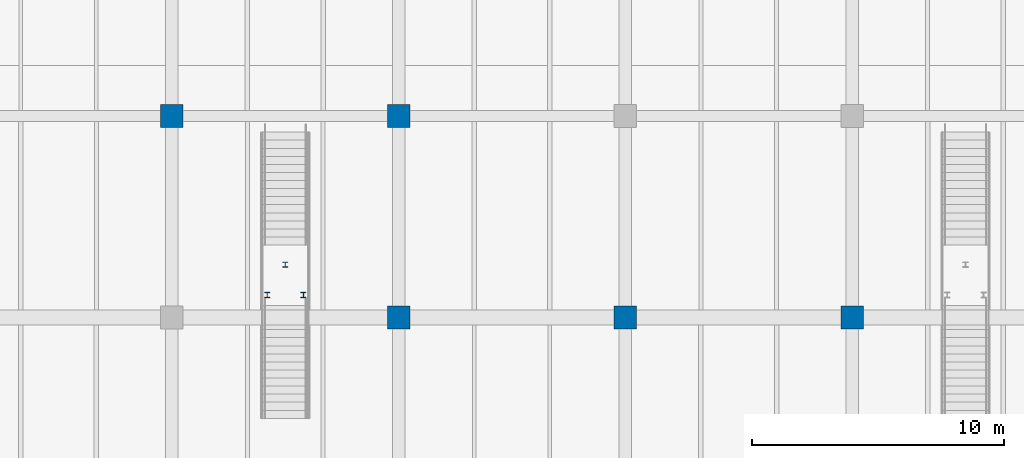
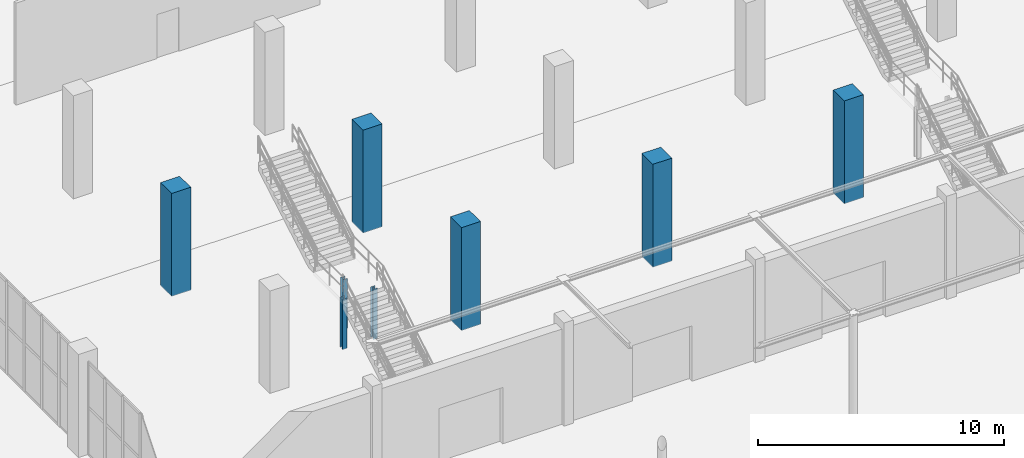
# One storey, part 9 of 103: 8 columns.
"""IFC4 building model written with IfcOpenShell, lengths in metres."""

from ifc_helpers import new_model, si_unit, direction, frame, origin, origin_2d, place, context, subcontext, project, spatial, rectangle, i_section, extrude, material, material_profile, profile_set, type_object, element, save


model = new_model("IFC4")

# Units and contexts
model_context = context("Model", 3, precision=1e-05, world=origin(), true_north=direction((0.0, 1.0)))
body_context = subcontext(model_context, "Body", "Model", "MODEL_VIEW")
ifc_project = project(units=[si_unit("LENGTHUNIT", "METRE"), si_unit("AREAUNIT", "SQUARE_METRE"), si_unit("VOLUMEUNIT", "CUBIC_METRE"), si_unit("PLANEANGLEUNIT", "RADIAN"), si_unit("MASSUNIT", "GRAM", prefix="KILO")], contexts=[model_context])

# Site, building, storey
site_placement = place(None, origin())
site = spatial("IfcSite", under=ifc_project, at=site_placement, CompositionType="ELEMENT")
building_placement = place(site_placement, origin())
building = spatial("IfcBuilding", under=site, at=building_placement, Name="Marnock Terrace Opera House", CompositionType="ELEMENT")
storey_placement = place(building_placement, origin())
storey = spatial("IfcBuildingStorey", under=building, at=storey_placement, Name="L00", CompositionType="ELEMENT", Elevation=0.0)

# Columns
ifc_material_1 = material(Name="Concrete N50 (f'c = 50 MPa)", Category="concrete")
ifc_material_profile_1 = material_profile(ifc_material_1, rectangle(XDim=0.89990234375, YDim=0.89990234375, at=origin_2d()))
ifc_profile_set_1 = profile_set([ifc_material_profile_1], Name="Concrete N50 (f'c = 50 MPa)")
column_type_1 = type_object("IfcColumnType", Name="COL-RC900", PredefinedType="COLUMN", material=ifc_profile_set_1)
for number, where, z_axis, x_axis, name in (
    (1, (64.0, 24.0, 0.0), (0.0, 0.0, 1.0), (1.0, 0.0, 0.0), "L00 column at (64.0, 24.0)"),
    (2, (73.0, 16.0, 0.0), (0.0, 0.0, 1.0), (1.0, 0.0, 0.0), "L00 column at (73.0, 16.0)"),
    (3, (73.0, 24.0, 0.0), (0.0, 0.0, 1.0), (1.0, 0.0, 0.0), "L00 column at (73.0, 24.0)"),
    (4, (82.0, 16.0, 0.0), (0.0, 0.0, 1.0), (1.0, 0.0, 0.0), "L00 column at (82.0, 16.0)"),
    (5, (91.0, 16.0, 0.0), (0.0, 0.0, 1.0), (1.0, 0.0, 0.0), "L00 column at (91.0, 16.0)"),
):
    element("IfcColumn", number, at=place(storey_placement, frame(where, z_axis=z_axis, x_axis=x_axis)), inside=storey, type_object=column_type_1, Name=name, PredefinedType="COLUMN", context=body_context, shape_type="SweptSolid", body=[
        extrude(rectangle(XDim=0.89990234375, YDim=0.89990234375, at=origin_2d()), origin(), (0.0, 0.0, 1.0), 5.1201171875),
    ])
ifc_material_2 = material(Name="Steel Grade 350 (AS/NZS 3679.1)", Category="steel")
ifc_material_profile_2 = material_profile(ifc_material_2, i_section(OverallWidth=0.205078125, OverallDepth=0.209716796875, WebThickness=0.00927734375, FlangeThickness=0.01416015625, FilletRadius=0.011474609375, at=origin_2d()))
ifc_profile_set_2 = profile_set([ifc_material_profile_2], Name="Steel Grade 350 (AS/NZS 3679.1)")
column_type_2 = type_object("IfcColumnType", Name="COL-UC200", PredefinedType="COLUMN", material=ifc_profile_set_2)
for number, where, z_axis, x_axis, name in (
    (6, (67.780029296875, 16.89990234375, 0.0), (0.0, 0.0, 1.0), (1.0, 0.0, 0.0), "L00 Grand Stair ST-09 landing column SW"),
    (7, (69.219970703125, 16.89990234375, 0.0), (0.0, 0.0, 1.0), (1.0, 0.0, 0.0), "L00 Grand Stair ST-09 landing column SE"),
    (8, (68.5, 18.10009765625, 0.0), (0.0, 0.0, 1.0), (1.0, 0.0, 0.0), "L00 Grand Stair ST-09 landing column N"),
):
    element("IfcColumn", number, at=place(storey_placement, frame(where, z_axis=z_axis, x_axis=x_axis)), inside=storey, type_object=column_type_2, Name=name, PredefinedType="COLUMN", context=body_context, shape_type="SweptSolid", body=[
        extrude(i_section(OverallWidth=0.205078125, OverallDepth=0.209716796875, WebThickness=0.00927734375, FlangeThickness=0.01416015625, FilletRadius=0.011474609375, at=origin_2d()), origin(), (0.0, 0.0, 1.0), 2.5),
    ])

save(model, "model.ifc")
